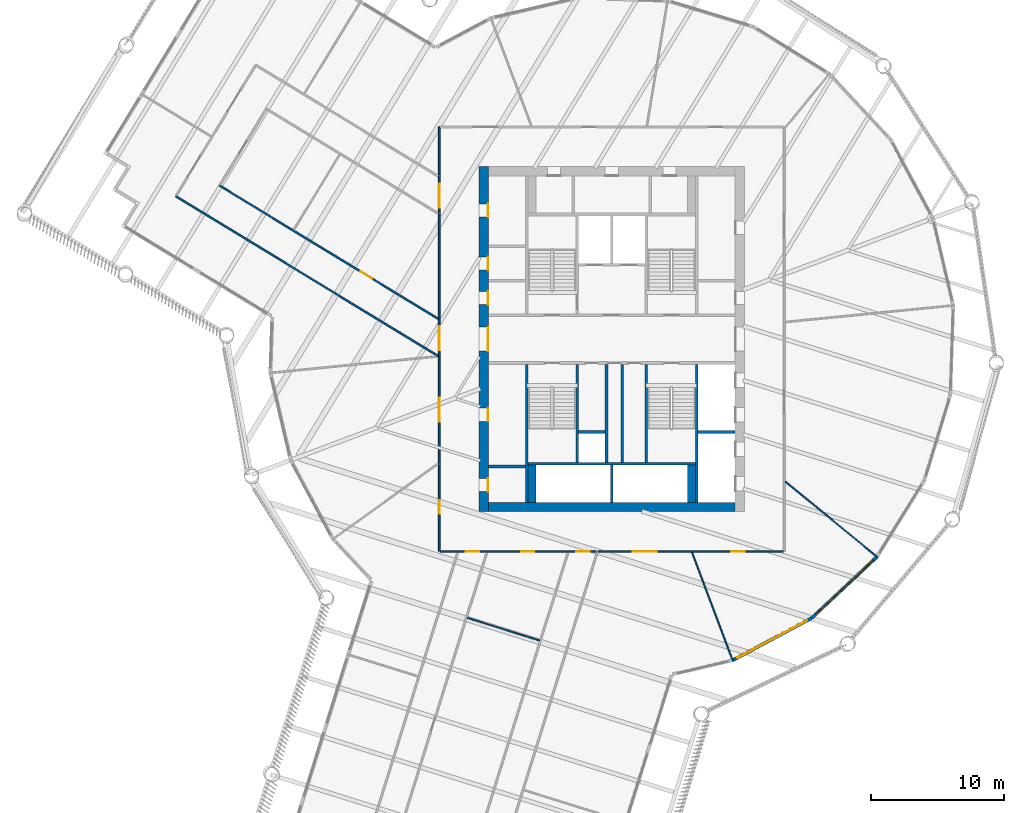
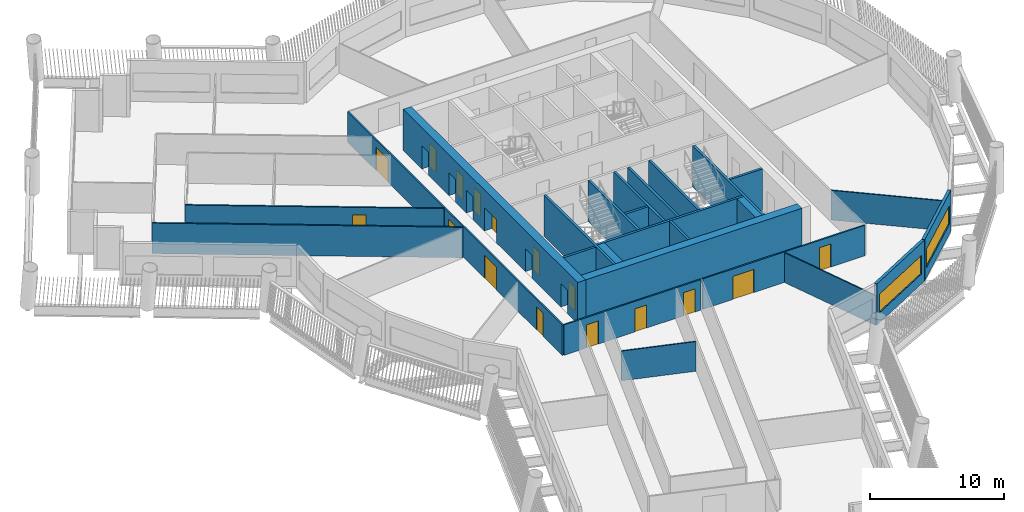
# One storey, part 4 of 15: 25 walls, 16 doors, 2 windows, 18 openings.
"""IFC4 building model written with IfcOpenShell, lengths in metres."""

from ifc_helpers import new_model, si_unit, direction, frame, frame_2d, origin, place, context, subcontext, project, spatial, rectangle, extrude, material, layer, layer_set, type_object, element, fill, save


model = new_model("IFC4")

# Units and contexts
model_context = context("Model", 3, precision=1e-05, world=origin(), true_north=direction((0.0, 1.0)))
body_context = subcontext(model_context, "Body", "Model", "MODEL_VIEW")
ifc_project = project(units=[si_unit("LENGTHUNIT", "METRE"), si_unit("AREAUNIT", "SQUARE_METRE"), si_unit("VOLUMEUNIT", "CUBIC_METRE"), si_unit("PLANEANGLEUNIT", "RADIAN"), si_unit("MASSUNIT", "GRAM", prefix="KILO")], contexts=[model_context])

# Site, building, storey
site_placement = place(None, origin())
site = spatial("IfcSite", under=ifc_project, at=site_placement, CompositionType="ELEMENT")
building_placement = place(site_placement, origin())
building = spatial("IfcBuilding", under=site, at=building_placement, Name="Tarsis Ring Headquarters", CompositionType="ELEMENT")
storey_placement = place(building_placement, frame((0.0, 0.0, 151.5)))
storey = spatial("IfcBuildingStorey", under=building, at=storey_placement, Name="L34", CompositionType="ELEMENT", Elevation=151.5)

# Walls
ifc_material_1 = material(Name="Blockwork", Category="masonry")
ifc_layer_1 = layer(ifc_material_1, 0.199951171875)
ifc_layer_set_1 = layer_set([ifc_layer_1], Name="Core blockwork wall 200")
wall_type_1 = type_object("IfcWallType", Name="Core blockwork wall 200", PredefinedType="PARTITIONING", material=ifc_layer_set_1)
wall_1_placement = place(storey_placement, frame((-9.300048828125, -9.60009765625, 0.0), z_axis=(0.0, 0.0, 1.0), x_axis=(1.0, 0.0, 0.0)))
element("IfcWall", 1, at=wall_1_placement, inside=storey, type_object=wall_type_1, Name="Core partition WD1", PredefinedType="PARTITIONING", context=body_context, shape_type="SweptSolid", body=[
    extrude(rectangle(XDim=2.800048828125, YDim=0.199951171875, at=frame_2d((1.39990234375, 0.0))), origin(), (0.0, 0.0, 1.0), 3.739990234375),
])
wall_2_placement = place(storey_placement, frame((-2.5, -7.0, 0.0), z_axis=(0.0, 0.0, 1.0), x_axis=(1.0, 0.0, 0.0)))
element("IfcWall", 2, at=wall_2_placement, inside=storey, type_object=wall_type_1, Name="Core partition SP1", PredefinedType="PARTITIONING", context=body_context, shape_type="SweptSolid", body=[
    extrude(rectangle(XDim=2.0, YDim=0.199951171875, at=frame_2d((1.0, 0.0))), origin(), (0.0, 0.0, 1.0), 3.739990234375),
])
for number, where, z_axis, x_axis, name in (
    (3, (-0.39990234375, -9.300048828125, 0.0), (0.0, 0.0, 1.0), (0.0, 1.0, 0.0), "Core partition SV1"),
    (4, (0.800048828125, -9.300048828125, 0.0), (0.0, 0.0, 1.0), (0.0, 1.0, 0.0), "Core partition SV2"),
):
    element("IfcWall", number, at=place(storey_placement, frame(where, z_axis=z_axis, x_axis=x_axis)), inside=storey, type_object=wall_type_1, Name=name, PredefinedType="PARTITIONING", context=body_context, shape_type="SweptSolid", body=[
        extrude(rectangle(XDim=7.400146484375, YDim=0.199951171875, at=frame_2d((3.7001953125, 0.0))), origin(), (0.0, 0.0, 1.0), 3.739990234375),
    ])

# Wall, openings, doors
ifc_material_2 = material(Name="Concrete C60/75", Category="concrete")
ifc_layer_2 = layer(ifc_material_2, 0.699951171875)
ifc_layer_set_2 = layer_set([ifc_layer_2], Name="Core wall 700 C60/75")
wall_type_2 = type_object("IfcWallType", Name="Core wall 700 C60/75", PredefinedType="SHEAR", material=ifc_layer_set_2)
wall_3_placement = place(storey_placement, frame((-9.64990234375, -13.0, 0.0), z_axis=(0.0, 0.0, 1.0), x_axis=(0.0, 1.0, 0.0)))
wall_3 = element("IfcWall", 5, at=wall_3_placement, inside=storey, type_object=wall_type_2, Name="Core wall OW", PredefinedType="SHEAR", context=body_context, shape_type="SweptSolid", body=[
    extrude(rectangle(XDim=26.0, YDim=0.699951171875, at=frame_2d((13.0, 0.0))), origin(), (0.0, 0.0, 1.0), 3.739990234375),
])
opening_1_placement = place(wall_3_placement, frame((1.5, 0.0, 0.0)))
opening_1 = element("IfcOpeningElement", 6, at=opening_1_placement, cuts=wall_3, Name="Opening L34-C01", PredefinedType="OPENING", context=body_context, shape_type="SweptSolid", body=[
    extrude(rectangle(XDim=1.0, YDim=2.10009765625, at=frame_2d((0.5, 1.050048828125))), frame((0.0, 0.35986328125, 0.0), z_axis=(0.0, -1.0, 0.0), x_axis=(1.0, 0.0, 0.0)), (0.0, 0.0, 1.0), 0.719970703125),
])
opening_2_placement = place(wall_3_placement, frame((6.800048828125, 0.0, 0.0)))
opening_2 = element("IfcOpeningElement", 7, at=opening_2_placement, cuts=wall_3, Name="Opening L34-C02", PredefinedType="OPENING", context=body_context, shape_type="SweptSolid", body=[
    extrude(rectangle(XDim=1.0, YDim=2.10009765625, at=frame_2d((0.5, 1.050048828125))), frame((0.0, 0.35986328125, 0.0), z_axis=(0.0, -1.0, 0.0), x_axis=(1.0, 0.0, 0.0)), (0.0, 0.0, 1.0), 0.719970703125),
])
opening_3_placement = place(wall_3_placement, frame((12.10009765625, 0.0, 0.0)))
opening_3 = element("IfcOpeningElement", 8, at=opening_3_placement, cuts=wall_3, Name="Opening L34-C03", PredefinedType="OPENING", context=body_context, shape_type="SweptSolid", body=[
    extrude(rectangle(XDim=1.800048828125, YDim=2.10009765625, at=frame_2d((0.89990234375, 1.050048828125))), frame((0.0, 0.35986328125, 0.0), z_axis=(0.0, -1.0, 0.0), x_axis=(1.0, 0.0, 0.0)), (0.0, 0.0, 1.0), 0.719970703125),
])
opening_4_placement = place(wall_3_placement, frame((15.60009765625, 0.0, 0.0)))
opening_4 = element("IfcOpeningElement", 9, at=opening_4_placement, cuts=wall_3, Name="Opening L34-C04", PredefinedType="OPENING", context=body_context, shape_type="SweptSolid", body=[
    extrude(rectangle(XDim=1.0, YDim=2.10009765625, at=frame_2d((0.5, 1.050048828125))), frame((0.0, 0.35986328125, 0.0), z_axis=(0.0, -1.0, 0.0), x_axis=(1.0, 0.0, 0.0)), (0.0, 0.0, 1.0), 0.719970703125),
])
opening_5_placement = place(wall_3_placement, frame((18.199951171875, 0.0, 0.0)))
opening_5 = element("IfcOpeningElement", 10, at=opening_5_placement, cuts=wall_3, Name="Opening L34-C05", PredefinedType="OPENING", context=body_context, shape_type="SweptSolid", body=[
    extrude(rectangle(XDim=1.0, YDim=2.10009765625, at=frame_2d((0.5, 1.050048828125))), frame((0.0, 0.35986328125, 0.0), z_axis=(0.0, -1.0, 0.0), x_axis=(1.0, 0.0, 0.0)), (0.0, 0.0, 1.0), 0.719970703125),
])
opening_6_placement = place(wall_3_placement, frame((22.199951171875, 0.0, 0.0)))
opening_6 = element("IfcOpeningElement", 11, at=opening_6_placement, cuts=wall_3, Name="Opening L34-C06", PredefinedType="OPENING", context=body_context, shape_type="SweptSolid", body=[
    extrude(rectangle(XDim=1.0, YDim=2.10009765625, at=frame_2d((0.5, 1.050048828125))), frame((0.0, 0.35986328125, 0.0), z_axis=(0.0, -1.0, 0.0), x_axis=(1.0, 0.0, 0.0)), (0.0, 0.0, 1.0), 0.719970703125),
])
ifc_material_3 = material(Name="Steel S355", Category="steel")
door_type_1 = type_object("IfcDoorType", Name="Core entry door 1800x2100", OperationType="DOUBLE_DOOR_SINGLE_SWING", PredefinedType="DOOR", material=ifc_material_3)
door_1_placement = place(opening_3_placement, origin())
door_1 = element("IfcDoor", 12, at=door_1_placement, inside=storey, type_object=door_type_1, Name="Core entry door L34", OperationType="DOUBLE_DOOR_SINGLE_SWING", OverallHeight=2.10009765625, OverallWidth=1.800048828125, PredefinedType="DOOR", context=body_context, shape_type="SweptSolid", body=[
    extrude(rectangle(XDim=1.800048828125, YDim=2.10009765625, at=frame_2d((0.89990234375, 1.050048828125))), frame((0.0, -0.2998046875, 0.0), z_axis=(0.0, -1.0, 0.0), x_axis=(1.0, 0.0, 0.0)), (0.0, 0.0, 1.0), 0.050048828125),
])
fill(opening_3, door_1)
door_type_2 = type_object("IfcDoorType", Name="Core room door 1000x2100", OperationType="SINGLE_SWING_LEFT", PredefinedType="DOOR", material=ifc_material_3)
door_2_placement = place(opening_1_placement, origin())
door_2 = element("IfcDoor", 13, at=door_2_placement, inside=storey, type_object=door_type_2, Name="Core room door L34", OperationType="SINGLE_SWING_LEFT", OverallHeight=2.10009765625, OverallWidth=1.0, PredefinedType="DOOR", context=body_context, shape_type="SweptSolid", body=[
    extrude(rectangle(XDim=1.0, YDim=2.10009765625, at=frame_2d((0.5, 1.050048828125))), frame((0.0, -0.2998046875, 0.0), z_axis=(0.0, -1.0, 0.0), x_axis=(1.0, 0.0, 0.0)), (0.0, 0.0, 1.0), 0.050048828125),
])
fill(opening_1, door_2)
door_3_placement = place(opening_2_placement, origin())
door_3 = element("IfcDoor", 14, at=door_3_placement, inside=storey, type_object=door_type_2, Name="Core room door L34", OperationType="SINGLE_SWING_LEFT", OverallHeight=2.10009765625, OverallWidth=1.0, PredefinedType="DOOR", context=body_context, shape_type="SweptSolid", body=[
    extrude(rectangle(XDim=1.0, YDim=2.10009765625, at=frame_2d((0.5, 1.050048828125))), frame((0.0, -0.2998046875, 0.0), z_axis=(0.0, -1.0, 0.0), x_axis=(1.0, 0.0, 0.0)), (0.0, 0.0, 1.0), 0.050048828125),
])
fill(opening_2, door_3)
door_4_placement = place(opening_4_placement, origin())
door_4 = element("IfcDoor", 15, at=door_4_placement, inside=storey, type_object=door_type_2, Name="Core room door L34", OperationType="SINGLE_SWING_LEFT", OverallHeight=2.10009765625, OverallWidth=1.0, PredefinedType="DOOR", context=body_context, shape_type="SweptSolid", body=[
    extrude(rectangle(XDim=1.0, YDim=2.10009765625, at=frame_2d((0.5, 1.050048828125))), frame((0.0, -0.2998046875, 0.0), z_axis=(0.0, -1.0, 0.0), x_axis=(1.0, 0.0, 0.0)), (0.0, 0.0, 1.0), 0.050048828125),
])
fill(opening_4, door_4)
door_5_placement = place(opening_5_placement, origin())
door_5 = element("IfcDoor", 16, at=door_5_placement, inside=storey, type_object=door_type_2, Name="Core room door L34", OperationType="SINGLE_SWING_LEFT", OverallHeight=2.10009765625, OverallWidth=1.0, PredefinedType="DOOR", context=body_context, shape_type="SweptSolid", body=[
    extrude(rectangle(XDim=1.0, YDim=2.10009765625, at=frame_2d((0.5, 1.050048828125))), frame((0.0, -0.2998046875, 0.0), z_axis=(0.0, -1.0, 0.0), x_axis=(1.0, 0.0, 0.0)), (0.0, 0.0, 1.0), 0.050048828125),
])
fill(opening_5, door_5)
door_6_placement = place(opening_6_placement, origin())
door_6 = element("IfcDoor", 17, at=door_6_placement, inside=storey, type_object=door_type_2, Name="Core room door L34", OperationType="SINGLE_SWING_LEFT", OverallHeight=2.10009765625, OverallWidth=1.0, PredefinedType="DOOR", context=body_context, shape_type="SweptSolid", body=[
    extrude(rectangle(XDim=1.0, YDim=2.10009765625, at=frame_2d((0.5, 1.050048828125))), frame((0.0, -0.2998046875, 0.0), z_axis=(0.0, -1.0, 0.0), x_axis=(1.0, 0.0, 0.0)), (0.0, 0.0, 1.0), 0.050048828125),
])
fill(opening_6, door_6)

# Walls
wall_4_placement = place(storey_placement, frame((-9.300048828125, -12.64990234375, 0.0), z_axis=(0.0, 0.0, 1.0), x_axis=(1.0, 0.0, 0.0)))
element("IfcWall", 18, at=wall_4_placement, inside=storey, type_object=wall_type_2, Name="Core wall OS", PredefinedType="SHEAR", context=body_context, shape_type="SweptSolid", body=[
    extrude(rectangle(XDim=18.60009765625, YDim=0.699951171875, at=frame_2d((9.300048828125, 0.0))), origin(), (0.0, 0.0, 1.0), 3.739990234375),
])
ifc_material_4 = material(Name="Gypsum board on steel studs", Category="steel")
ifc_layer_3 = layer(ifc_material_4, 0.10009765625)
ifc_layer_set_3 = layer_set([ifc_layer_3], Name="FL partition 100 unrated")
wall_type_3 = type_object("IfcWallType", Name="FL partition 100 unrated", PredefinedType="PARTITIONING", material=ifc_layer_set_3)
wall_5_placement = place(storey_placement, frame((13.0849609375, -10.73291015625, 0.0), z_axis=(0.0, 0.0, 1.0), x_axis=(0.773185275083, -0.634180203409, 0.0)))
element("IfcWall", 19, at=wall_5_placement, inside=storey, type_object=wall_type_3, Name="Partition PW3", PredefinedType="PARTITIONING", context=body_context, shape_type="SweptSolid", body=[
    extrude(rectangle(XDim=9.024169921875, YDim=0.10009765625, at=frame_2d((4.51220703125, 0.0))), origin(), (0.0, 0.0, 1.0), 2.699951171875),
])
wall_6_placement = place(storey_placement, frame((6.054931640625, -16.074951171875, 0.0), z_axis=(0.0, 0.0, 1.0), x_axis=(0.352505014532, -0.935809924466, 0.0)))
element("IfcWall", 20, at=wall_6_placement, inside=storey, type_object=wall_type_3, Name="Partition PW3", PredefinedType="PARTITIONING", context=body_context, shape_type="SweptSolid", body=[
    extrude(rectangle(XDim=8.770263671875, YDim=0.10009765625, at=frame_2d((4.38525390625, 0.0))), origin(), (0.0, 0.0, 1.0), 2.699951171875),
])
wall_7_placement = place(storey_placement, frame((-10.884521484375, -21.009521484375, 0.0), z_axis=(0.0, 0.0, 1.0), x_axis=(0.954452537582, -0.298362788404, 0.0)))
element("IfcWall", 21, at=wall_7_placement, inside=storey, type_object=wall_type_3, Name="Partition PW3", PredefinedType="PARTITIONING", context=body_context, shape_type="SweptSolid", body=[
    extrude(rectangle(XDim=5.699951171875, YDim=0.10009765625, at=frame_2d((2.85009765625, 0.0))), origin(), (0.0, 0.0, 1.0), 2.699951171875),
])

# Wall, openings, doors
ifc_layer_4 = layer(ifc_material_4, 0.125)
ifc_layer_set_4 = layer_set([ifc_layer_4], Name="FL partition 125 EI 60 H2770")
wall_type_4 = type_object("IfcWallType", Name="FL partition 125 EI 60 H2770", PredefinedType="PARTITIONING", material=ifc_layer_set_4)
wall_8_placement = place(storey_placement, frame((-13.0, -16.0, 0.0), z_axis=(0.0, 0.0, 1.0), x_axis=(0.0, 1.0, 0.0)))
wall_8 = element("IfcWall", 22, at=wall_8_placement, inside=storey, type_object=wall_type_4, Name="Partition PW1", PredefinedType="PARTITIONING", context=body_context, shape_type="SweptSolid", body=[
    extrude(rectangle(XDim=32.0, YDim=0.125, at=frame_2d((16.0, 0.0))), origin(), (0.0, 0.0, 1.0), 2.77001953125),
])
opening_7_placement = place(wall_8_placement, frame((2.839599609375, 0.0, 0.0)))
opening_7 = element("IfcOpeningElement", 23, at=opening_7_placement, cuts=wall_8, Name="Opening D34.12", PredefinedType="OPENING", context=body_context, shape_type="SweptSolid", body=[
    extrude(rectangle(XDim=1.0, YDim=2.10009765625, at=frame_2d((0.5, 1.050048828125))), frame((0.0, 0.072509765625, 0.0), z_axis=(0.0, -1.0, 0.0), x_axis=(1.0, 0.0, 0.0)), (0.0, 0.0, 1.0), 0.14501953125),
])
opening_8_placement = place(wall_8_placement, frame((9.775146484375, 0.0, 0.0)))
opening_8 = element("IfcOpeningElement", 24, at=opening_8_placement, cuts=wall_8, Name="Opening D34.13", PredefinedType="OPENING", context=body_context, shape_type="SweptSolid", body=[
    extrude(rectangle(XDim=1.800048828125, YDim=2.10009765625, at=frame_2d((0.89990234375, 1.050048828125))), frame((0.0, 0.072509765625, 0.0), z_axis=(0.0, -1.0, 0.0), x_axis=(1.0, 0.0, 0.0)), (0.0, 0.0, 1.0), 0.14501953125),
])
opening_9_placement = place(wall_8_placement, frame((15.176513671875, 0.0, 0.0)))
opening_9 = element("IfcOpeningElement", 25, at=opening_9_placement, cuts=wall_8, Name="Opening D34.20", PredefinedType="OPENING", context=body_context, shape_type="SweptSolid", body=[
    extrude(rectangle(XDim=1.800048828125, YDim=2.10009765625, at=frame_2d((0.89990234375, 1.050048828125))), frame((0.0, 0.072509765625, 0.0), z_axis=(0.0, -1.0, 0.0), x_axis=(1.0, 0.0, 0.0)), (0.0, 0.0, 1.0), 0.14501953125),
])
opening_10_placement = place(wall_8_placement, frame((25.927001953125, 0.0, 0.0)))
opening_10 = element("IfcOpeningElement", 26, at=opening_10_placement, cuts=wall_8, Name="Opening D34.21", PredefinedType="OPENING", context=body_context, shape_type="SweptSolid", body=[
    extrude(rectangle(XDim=1.800048828125, YDim=2.10009765625, at=frame_2d((0.89990234375, 1.050048828125))), frame((0.0, 0.072509765625, 0.0), z_axis=(0.0, -1.0, 0.0), x_axis=(1.0, 0.0, 0.0)), (0.0, 0.0, 1.0), 0.14501953125),
])
ifc_material_5 = material(Name="Fire-rated timber door leaf in steel frame", Category="steel")
door_type_3 = type_object("IfcDoorType", Name="FL door FD60-1000", OperationType="NOTDEFINED", PredefinedType="DOOR", material=ifc_material_5)
door_7_placement = place(opening_7_placement, origin())
door_7 = element("IfcDoor", 27, at=door_7_placement, inside=storey, type_object=door_type_3, Name="Door D34.12", OperationType="SINGLE_SWING_RIGHT", OverallHeight=2.10009765625, OverallWidth=1.0, PredefinedType="DOOR", context=body_context, shape_type="SweptSolid", body=[
    extrude(rectangle(XDim=1.0, YDim=2.10009765625, at=frame_2d((0.5, 1.050048828125))), frame((0.0, 0.02490234375, 0.0), z_axis=(0.0, -1.0, 0.0), x_axis=(1.0, 0.0, 0.0)), (0.0, 0.0, 1.0), 0.050048828125),
])
fill(opening_7, door_7)
door_type_4 = type_object("IfcDoorType", Name="FL door FD60-1800", OperationType="DOUBLE_DOOR_SINGLE_SWING", PredefinedType="DOOR", material=ifc_material_5)
door_8_placement = place(opening_8_placement, origin())
door_8 = element("IfcDoor", 28, at=door_8_placement, inside=storey, type_object=door_type_4, Name="Door D34.13", OperationType="DOUBLE_DOOR_SINGLE_SWING", OverallHeight=2.10009765625, OverallWidth=1.800048828125, PredefinedType="DOOR", context=body_context, shape_type="SweptSolid", body=[
    extrude(rectangle(XDim=1.800048828125, YDim=2.10009765625, at=frame_2d((0.89990234375, 1.050048828125))), frame((0.0, 0.02490234375, 0.0), z_axis=(0.0, -1.0, 0.0), x_axis=(1.0, 0.0, 0.0)), (0.0, 0.0, 1.0), 0.050048828125),
])
fill(opening_8, door_8)
door_9_placement = place(opening_9_placement, origin())
door_9 = element("IfcDoor", 29, at=door_9_placement, inside=storey, type_object=door_type_4, Name="Door D34.20", OperationType="DOUBLE_DOOR_SINGLE_SWING", OverallHeight=2.10009765625, OverallWidth=1.800048828125, PredefinedType="DOOR", context=body_context, shape_type="SweptSolid", body=[
    extrude(rectangle(XDim=1.800048828125, YDim=2.10009765625, at=frame_2d((0.89990234375, 1.050048828125))), frame((0.0, 0.02490234375, 0.0), z_axis=(0.0, -1.0, 0.0), x_axis=(1.0, 0.0, 0.0)), (0.0, 0.0, 1.0), 0.050048828125),
])
fill(opening_9, door_9)
door_10_placement = place(opening_10_placement, origin())
door_10 = element("IfcDoor", 30, at=door_10_placement, inside=storey, type_object=door_type_4, Name="Door D34.21", OperationType="DOUBLE_DOOR_SINGLE_SWING", OverallHeight=2.10009765625, OverallWidth=1.800048828125, PredefinedType="DOOR", context=body_context, shape_type="SweptSolid", body=[
    extrude(rectangle(XDim=1.800048828125, YDim=2.10009765625, at=frame_2d((0.89990234375, 1.050048828125))), frame((0.0, 0.02490234375, 0.0), z_axis=(0.0, -1.0, 0.0), x_axis=(1.0, 0.0, 0.0)), (0.0, 0.0, 1.0), 0.050048828125),
])
fill(opening_10, door_10)

wall_9_placement = place(storey_placement, frame((-12.93994140625, -16.0, 0.0), z_axis=(0.0, 0.0, 1.0), x_axis=(1.0, 0.0, 0.0)))
wall_9 = element("IfcWall", 31, at=wall_9_placement, inside=storey, type_object=wall_type_4, Name="Partition PW1", PredefinedType="PARTITIONING", context=body_context, shape_type="SweptSolid", body=[
    extrude(rectangle(XDim=11.781982421875, YDim=0.125, at=frame_2d((5.89111328125, 0.0))), origin(), (0.0, 0.0, 1.0), 2.77001953125),
])
opening_11_placement = place(wall_9_placement, frame((6.107666015625, 0.0, 0.0)))
opening_11 = element("IfcOpeningElement", 32, at=opening_11_placement, cuts=wall_9, Name="Opening D34.16", PredefinedType="OPENING", context=body_context, shape_type="SweptSolid", body=[
    extrude(rectangle(XDim=1.0, YDim=2.10009765625, at=frame_2d((0.5, 1.050048828125))), frame((0.0, 0.072509765625, 0.0), z_axis=(0.0, -1.0, 0.0), x_axis=(1.0, 0.0, 0.0)), (0.0, 0.0, 1.0), 0.14501953125),
])
opening_12_placement = place(wall_9_placement, frame((1.947998046875, 0.0, 0.0)))
opening_12 = element("IfcOpeningElement", 33, at=opening_12_placement, cuts=wall_9, Name="Opening D34.18", PredefinedType="OPENING", context=body_context, shape_type="SweptSolid", body=[
    extrude(rectangle(XDim=1.0, YDim=2.10009765625, at=frame_2d((0.5, 1.050048828125))), frame((0.0, 0.072509765625, 0.0), z_axis=(0.0, -1.0, 0.0), x_axis=(1.0, 0.0, 0.0)), (0.0, 0.0, 1.0), 0.14501953125),
])
opening_13_placement = place(wall_9_placement, frame((10.26708984375, 0.0, 0.0)))
opening_13 = element("IfcOpeningElement", 34, at=opening_13_placement, cuts=wall_9, Name="Opening D34.19", PredefinedType="OPENING", context=body_context, shape_type="SweptSolid", body=[
    extrude(rectangle(XDim=1.0, YDim=2.10009765625, at=frame_2d((0.5, 1.050048828125))), frame((0.0, 0.072509765625, 0.0), z_axis=(0.0, -1.0, 0.0), x_axis=(1.0, 0.0, 0.0)), (0.0, 0.0, 1.0), 0.14501953125),
])
door_11_placement = place(opening_11_placement, origin())
door_11 = element("IfcDoor", 35, at=door_11_placement, inside=storey, type_object=door_type_3, Name="Door D34.16", OperationType="SINGLE_SWING_RIGHT", OverallHeight=2.10009765625, OverallWidth=1.0, PredefinedType="DOOR", context=body_context, shape_type="SweptSolid", body=[
    extrude(rectangle(XDim=1.0, YDim=2.10009765625, at=frame_2d((0.5, 1.050048828125))), frame((0.0, 0.02490234375, 0.0), z_axis=(0.0, -1.0, 0.0), x_axis=(1.0, 0.0, 0.0)), (0.0, 0.0, 1.0), 0.050048828125),
])
fill(opening_11, door_11)
door_12_placement = place(opening_12_placement, origin())
door_12 = element("IfcDoor", 36, at=door_12_placement, inside=storey, type_object=door_type_3, Name="Door D34.18", OperationType="SINGLE_SWING_RIGHT", OverallHeight=2.10009765625, OverallWidth=1.0, PredefinedType="DOOR", context=body_context, shape_type="SweptSolid", body=[
    extrude(rectangle(XDim=1.0, YDim=2.10009765625, at=frame_2d((0.5, 1.050048828125))), frame((0.0, 0.02490234375, 0.0), z_axis=(0.0, -1.0, 0.0), x_axis=(1.0, 0.0, 0.0)), (0.0, 0.0, 1.0), 0.050048828125),
])
fill(opening_12, door_12)
door_13_placement = place(opening_13_placement, origin())
door_13 = element("IfcDoor", 37, at=door_13_placement, inside=storey, type_object=door_type_3, Name="Door D34.19", OperationType="SINGLE_SWING_LEFT", OverallHeight=2.10009765625, OverallWidth=1.0, PredefinedType="DOOR", context=body_context, shape_type="SweptSolid", body=[
    extrude(rectangle(XDim=1.0, YDim=2.10009765625, at=frame_2d((0.5, 1.050048828125))), frame((0.0, 0.02490234375, 0.0), z_axis=(0.0, -1.0, 0.0), x_axis=(1.0, 0.0, 0.0)), (0.0, 0.0, 1.0), 0.050048828125),
])
fill(opening_13, door_13)

wall_10_placement = place(storey_placement, frame((-1.01318359375, -16.0, 0.0), z_axis=(0.0, 0.0, 1.0), x_axis=(1.0, 0.0, 0.0)))
wall_10 = element("IfcWall", 38, at=wall_10_placement, inside=storey, type_object=wall_type_4, Name="Partition PW1", PredefinedType="PARTITIONING", context=body_context, shape_type="SweptSolid", body=[
    extrude(rectangle(XDim=13.953125, YDim=0.125, at=frame_2d((6.9765625, 0.0))), origin(), (0.0, 0.0, 1.0), 2.77001953125),
])
opening_14_placement = place(wall_10_placement, frame((10.026611328125, 0.0, 0.0)))
opening_14 = element("IfcOpeningElement", 39, at=opening_14_placement, cuts=wall_10, Name="Opening D34.08", PredefinedType="OPENING", context=body_context, shape_type="SweptSolid", body=[
    extrude(rectangle(XDim=1.0, YDim=2.10009765625, at=frame_2d((0.5, 1.050048828125))), frame((0.0, 0.072509765625, 0.0), z_axis=(0.0, -1.0, 0.0), x_axis=(1.0, 0.0, 0.0)), (0.0, 0.0, 1.0), 0.14501953125),
])
opening_15_placement = place(wall_10_placement, frame((2.590087890625, 0.0, 0.0)))
opening_15 = element("IfcOpeningElement", 40, at=opening_15_placement, cuts=wall_10, Name="Opening D34.09", PredefinedType="OPENING", context=body_context, shape_type="SweptSolid", body=[
    extrude(rectangle(XDim=1.800048828125, YDim=2.10009765625, at=frame_2d((0.89990234375, 1.050048828125))), frame((0.0, 0.072509765625, 0.0), z_axis=(0.0, -1.0, 0.0), x_axis=(1.0, 0.0, 0.0)), (0.0, 0.0, 1.0), 0.14501953125),
])
door_14_placement = place(opening_14_placement, origin())
door_14 = element("IfcDoor", 41, at=door_14_placement, inside=storey, type_object=door_type_3, Name="Door D34.08", OperationType="SINGLE_SWING_RIGHT", OverallHeight=2.10009765625, OverallWidth=1.0, PredefinedType="DOOR", context=body_context, shape_type="SweptSolid", body=[
    extrude(rectangle(XDim=1.0, YDim=2.10009765625, at=frame_2d((0.5, 1.050048828125))), frame((0.0, 0.02490234375, 0.0), z_axis=(0.0, -1.0, 0.0), x_axis=(1.0, 0.0, 0.0)), (0.0, 0.0, 1.0), 0.050048828125),
])
fill(opening_14, door_14)
door_15_placement = place(opening_15_placement, origin())
door_15 = element("IfcDoor", 42, at=door_15_placement, inside=storey, type_object=door_type_4, Name="Door D34.09", OperationType="DOUBLE_DOOR_SINGLE_SWING", OverallHeight=2.10009765625, OverallWidth=1.800048828125, PredefinedType="DOOR", context=body_context, shape_type="SweptSolid", body=[
    extrude(rectangle(XDim=1.800048828125, YDim=2.10009765625, at=frame_2d((0.89990234375, 1.050048828125))), frame((0.0, 0.02490234375, 0.0), z_axis=(0.0, -1.0, 0.0), x_axis=(1.0, 0.0, 0.0)), (0.0, 0.0, 1.0), 0.050048828125),
])
fill(opening_15, door_15)

# Wall
wall_11_placement = place(storey_placement, frame((-32.862548828125, 10.7763671875, 0.0), z_axis=(0.0, 0.0, 1.0), x_axis=(0.853915690971, -0.52041136874, 0.0)))
element("IfcWall", 43, at=wall_11_placement, inside=storey, type_object=wall_type_4, Name="Partition PW1", PredefinedType="PARTITIONING", context=body_context, shape_type="SweptSolid", body=[
    extrude(rectangle(XDim=23.160400390625, YDim=0.125, at=frame_2d((11.580078125, 0.0))), origin(), (0.0, 0.0, 1.0), 2.77001953125),
])

# Wall, opening, door
wall_12_placement = place(storey_placement, frame((-29.564208984375, 11.576904296875, 0.0), z_axis=(0.0, 0.0, 1.0), x_axis=(0.853912598499, -0.520416442981, 0.0)))
wall_12 = element("IfcWall", 44, at=wall_12_placement, inside=storey, type_object=wall_type_4, Name="Partition PW1", PredefinedType="PARTITIONING", context=body_context, shape_type="SweptSolid", body=[
    extrude(rectangle(XDim=19.2978515625, YDim=0.125, at=frame_2d((9.64892578125, 0.0))), origin(), (0.0, 0.0, 1.0), 2.77001953125),
])
opening_16_placement = place(wall_12_placement, frame((12.452880859375, 0.0, 0.0)))
opening_16 = element("IfcOpeningElement", 45, at=opening_16_placement, cuts=wall_12, Name="Opening D34.14", PredefinedType="OPENING", context=body_context, shape_type="SweptSolid", body=[
    extrude(rectangle(XDim=1.0, YDim=2.10009765625, at=frame_2d((0.5, 1.050048828125))), frame((0.0, 0.072509765625, 0.0), z_axis=(0.0, -1.0, 0.0), x_axis=(1.0, 0.0, 0.0)), (0.0, 0.0, 1.0), 0.14501953125),
])
door_16_placement = place(opening_16_placement, origin())
door_16 = element("IfcDoor", 46, at=door_16_placement, inside=storey, type_object=door_type_3, Name="Door D34.14", OperationType="SINGLE_SWING_RIGHT", OverallHeight=2.10009765625, OverallWidth=1.0, PredefinedType="DOOR", context=body_context, shape_type="SweptSolid", body=[
    extrude(rectangle(XDim=1.0, YDim=2.10009765625, at=frame_2d((0.5, 1.050048828125))), frame((0.0, 0.02490234375, 0.0), z_axis=(0.0, -1.0, 0.0), x_axis=(1.0, 0.0, 0.0)), (0.0, 0.0, 1.0), 0.050048828125),
])
fill(opening_16, door_16)

# Wall, opening, window
ifc_material_6 = material(Name="Terracotta clad insulated panel wall", Category="masonry")
ifc_layer_5 = layer(ifc_material_6, 0.25)
ifc_layer_set_5 = layer_set([ifc_layer_5], Name="Facade wall terracotta panel 250")
wall_type_5 = type_object("IfcWallType", Name="Facade wall terracotta panel 250", PredefinedType="STANDARD", material=ifc_layer_set_5)
wall_13_placement = place(storey_placement, frame((9.135009765625, -24.205322265625, 0.0), z_axis=(0.0, 0.0, 1.0), x_axis=(0.881805368526, 0.471613498576, 0.0)))
wall_13 = element("IfcWall", 47, at=wall_13_placement, inside=storey, type_object=wall_type_5, Name="External wall L34-18", PredefinedType="STANDARD", context=body_context, shape_type="SweptSolid", body=[
    extrude(rectangle(XDim=6.721435546875, YDim=0.25, at=frame_2d((3.36083984375, 0.0))), origin(), (0.0, 0.0, 1.0), 3.739990234375),
])
opening_17_placement = place(wall_13_placement, frame((0.3857421875, 0.0, 0.89990234375)))
opening_17 = element("IfcOpeningElement", 48, at=opening_17_placement, cuts=wall_13, Name="Opening WN07", PredefinedType="OPENING", context=body_context, shape_type="SweptSolid", body=[
    extrude(rectangle(XDim=5.949951171875, YDim=1.699951171875, at=frame_2d((2.97509765625, 0.85009765625))), frame((0.0, 0.135009765625, 0.0), z_axis=(0.0, -1.0, 0.0), x_axis=(1.0, 0.0, 0.0)), (0.0, 0.0, 1.0), 0.27001953125),
])
ifc_material_7 = material(Name="Aluminium framed double glazing", Category="aluminium")
window_type = type_object("IfcWindowType", Name="Facade window 5950 x 1700", PartitioningType="SINGLE_PANEL", PredefinedType="WINDOW", material=ifc_material_7)
window_1_placement = place(opening_17_placement, origin())
window_1 = element("IfcWindow", 49, at=window_1_placement, inside=storey, type_object=window_type, Name="Window L34-18.1", OverallHeight=1.699951171875, OverallWidth=5.949951171875, PartitioningType="SINGLE_PANEL", PredefinedType="WINDOW", context=body_context, shape_type="SweptSolid", body=[
    extrude(rectangle(XDim=5.949951171875, YDim=1.699951171875, at=frame_2d((2.97509765625, 0.85009765625))), frame((0.0, 0.030029296875, 0.0), z_axis=(0.0, -1.0, 0.0), x_axis=(1.0, 0.0, 0.0)), (0.0, 0.0, 1.0), 0.06005859375),
])
fill(opening_17, window_1)

wall_14_placement = place(storey_placement, frame((15.08837890625, -21.016357421875, 0.0), z_axis=(0.0, 0.0, 1.0), x_axis=(0.729688964175, 0.683779215508, 0.0)))
wall_14 = element("IfcWall", 50, at=wall_14_placement, inside=storey, type_object=wall_type_5, Name="External wall L34-19", PredefinedType="STANDARD", context=body_context, shape_type="SweptSolid", body=[
    extrude(rectangle(XDim=6.7216796875, YDim=0.25, at=frame_2d((3.36083984375, 0.0))), origin(), (0.0, 0.0, 1.0), 3.739990234375),
])
opening_18_placement = place(wall_14_placement, frame((0.3857421875, 0.0, 0.89990234375)))
opening_18 = element("IfcOpeningElement", 51, at=opening_18_placement, cuts=wall_14, Name="Opening WN07", PredefinedType="OPENING", context=body_context, shape_type="SweptSolid", body=[
    extrude(rectangle(XDim=5.949951171875, YDim=1.699951171875, at=frame_2d((2.97509765625, 0.85009765625))), frame((0.0, 0.135009765625, 0.0), z_axis=(0.0, -1.0, 0.0), x_axis=(1.0, 0.0, 0.0)), (0.0, 0.0, 1.0), 0.27001953125),
])
window_2_placement = place(opening_18_placement, origin())
window_2 = element("IfcWindow", 52, at=window_2_placement, inside=storey, type_object=window_type, Name="Window L34-19.1", OverallHeight=1.699951171875, OverallWidth=5.949951171875, PartitioningType="SINGLE_PANEL", PredefinedType="WINDOW", context=body_context, shape_type="SweptSolid", body=[
    extrude(rectangle(XDim=5.949951171875, YDim=1.699951171875, at=frame_2d((2.97509765625, 0.85009765625))), frame((0.0, 0.030029296875, 0.0), z_axis=(0.0, -1.0, 0.0), x_axis=(1.0, 0.0, 0.0)), (0.0, 0.0, 1.0), 0.06005859375),
])
fill(opening_18, window_2)

# Walls
ifc_material_8 = material(Name="Concrete C32/40", Category="concrete")
ifc_layer_6 = layer(ifc_material_8, 0.60009765625)
ifc_layer_set_6 = layer_set([ifc_layer_6], Name="Shaft end wall 600 C32/40")
wall_type_6 = type_object("IfcWallType", Name="Shaft end wall 600 C32/40", PredefinedType="SOLIDWALL", material=ifc_layer_set_6)
for number, where, z_axis, x_axis, name in (
    (53, (-6.0, -12.300048828125, 0.0), (0.0, 0.0, 1.0), (0.0, 1.0, 0.0), "Core shaft wall SNE1"),
    (54, (6.0, -12.300048828125, 0.0), (0.0, 0.0, 1.0), (0.0, 1.0, 0.0), "Core shaft wall SNE2"),
):
    element("IfcWall", number, at=place(storey_placement, frame(where, z_axis=z_axis, x_axis=x_axis)), inside=storey, type_object=wall_type_6, Name=name, PredefinedType="SOLIDWALL", context=body_context, shape_type="SweptSolid", body=[
        extrude(rectangle(XDim=2.800048828125, YDim=0.60009765625, at=frame_2d((1.39990234375, 0.0))), origin(), (0.0, 0.0, 1.0), 3.739990234375),
    ])
ifc_layer_7 = layer(ifc_material_8, 0.199951171875)
ifc_layer_set_7 = layer_set([ifc_layer_7], Name="Shaft wall 200 C32/40")
wall_type_7 = type_object("IfcWallType", Name="Shaft wall 200 C32/40", PredefinedType="SOLIDWALL", material=ifc_layer_set_7)
for number, where, z_axis, x_axis, name in (
    (55, (-6.39990234375, -12.300048828125, 0.0), (0.0, 0.0, 1.0), (0.0, 1.0, 0.0), "Core shaft wall WB1"),
    (56, (6.39990234375, -12.300048828125, 0.0), (0.0, 0.0, 1.0), (0.0, 1.0, 0.0), "Core shaft wall EB1"),
):
    element("IfcWall", number, at=place(storey_placement, frame(where, z_axis=z_axis, x_axis=x_axis)), inside=storey, type_object=wall_type_7, Name=name, PredefinedType="SOLIDWALL", context=body_context, shape_type="SweptSolid", body=[
        extrude(rectangle(XDim=10.400146484375, YDim=0.199951171875, at=frame_2d((5.2001953125, 0.0))), origin(), (0.0, 0.0, 1.0), 3.739990234375),
    ])
wall_15_placement = place(storey_placement, frame((-6.300048828125, -9.39990234375, 0.0), z_axis=(0.0, 0.0, 1.0), x_axis=(1.0, 0.0, 0.0)))
element("IfcWall", 57, at=wall_15_placement, inside=storey, type_object=wall_type_7, Name="Core shaft wall SB", PredefinedType="SOLIDWALL", context=body_context, shape_type="SweptSolid", body=[
    extrude(rectangle(XDim=12.60009765625, YDim=0.199951171875, at=frame_2d((6.300048828125, 0.0))), origin(), (0.0, 0.0, 1.0), 3.739990234375),
])
for number, where, z_axis, x_axis, name in (
    (58, (-2.60009765625, -9.300048828125, 0.0), (0.0, 0.0, 1.0), (0.0, 1.0, 0.0), "Core shaft wall SW3"),
    (59, (2.60009765625, -9.300048828125, 0.0), (0.0, 0.0, 1.0), (0.0, 1.0, 0.0), "Core shaft wall SW4"),
):
    element("IfcWall", number, at=place(storey_placement, frame(where, z_axis=z_axis, x_axis=x_axis)), inside=storey, type_object=wall_type_7, Name=name, PredefinedType="SOLIDWALL", context=body_context, shape_type="SweptSolid", body=[
        extrude(rectangle(XDim=7.400146484375, YDim=0.199951171875, at=frame_2d((3.7001953125, 0.0))), origin(), (0.0, 0.0, 1.0), 3.739990234375),
    ])
for number, where, z_axis, x_axis, name in (
    (60, (6.5, -7.0, 0.0), (0.0, 0.0, 1.0), (1.0, 0.0, 0.0), "Core shaft wall ED2"),
    (61, (0.0, -12.300048828125, 0.0), (0.0, 0.0, 1.0), (0.0, 1.0, 0.0), "Core shaft wall SD2"),
):
    element("IfcWall", number, at=place(storey_placement, frame(where, z_axis=z_axis, x_axis=x_axis)), inside=storey, type_object=wall_type_7, Name=name, PredefinedType="SOLIDWALL", context=body_context, shape_type="SweptSolid", body=[
        extrude(rectangle(XDim=2.800048828125, YDim=0.199951171875, at=frame_2d((1.39990234375, 0.0))), origin(), (0.0, 0.0, 1.0), 3.739990234375),
    ])

save(model, "model.ifc")
